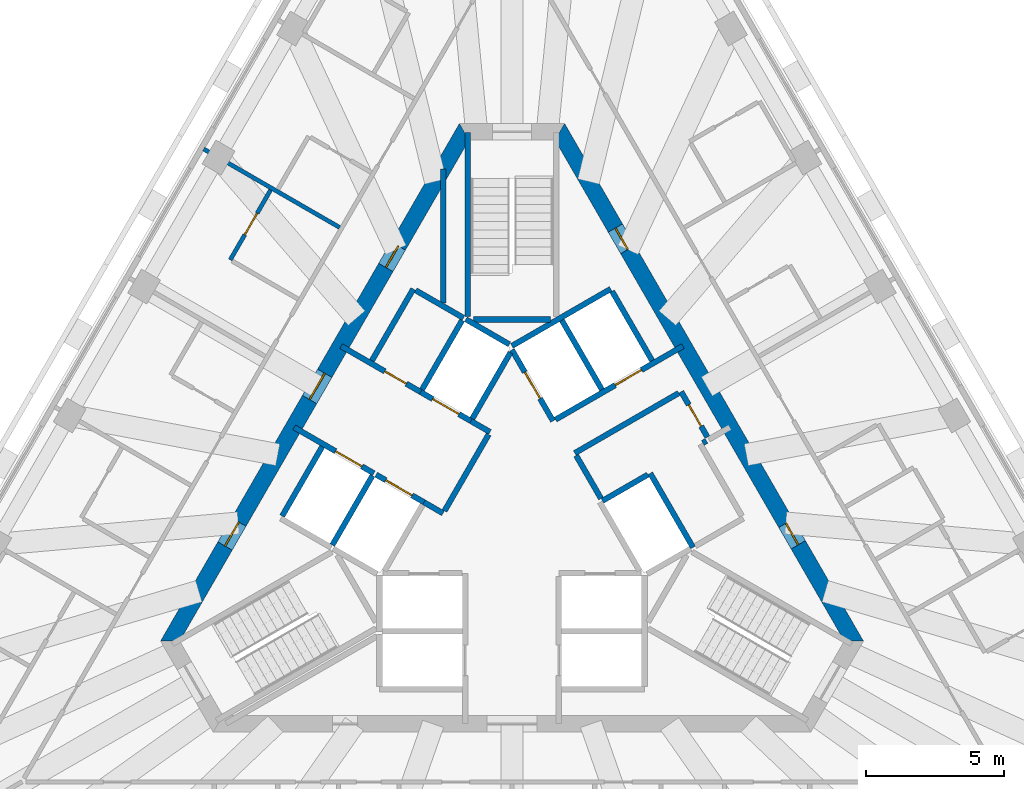
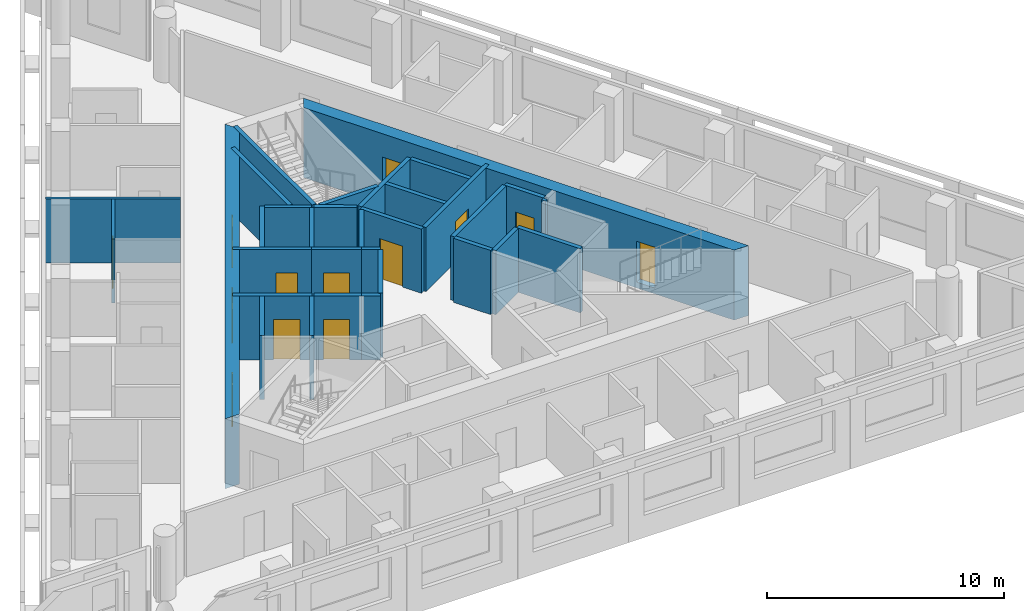
# One storey, part 5 of 10: 32 walls, 13 doors, 13 openings.
"""IFC4 building model written with IfcOpenShell, lengths in metres."""

from ifc_helpers import new_model, si_unit, direction, frame, frame_2d, origin, place, context, subcontext, project, spatial, polyline, rectangle, outline, extrude, material, layer, layer_set, type_object, element, fill, save


model = new_model("IFC4")

# Units and contexts
model_context = context("Model", 3, precision=1e-05, world=origin(), true_north=direction((0.0, 1.0)))
body_context = subcontext(model_context, "Body", "Model", "MODEL_VIEW")
ifc_project = project(units=[si_unit("LENGTHUNIT", "METRE"), si_unit("AREAUNIT", "SQUARE_METRE"), si_unit("VOLUMEUNIT", "CUBIC_METRE"), si_unit("PLANEANGLEUNIT", "RADIAN"), si_unit("MASSUNIT", "GRAM", prefix="KILO")], contexts=[model_context])

# Site, building, storey
site_placement = place(None, origin())
site = spatial("IfcSite", under=ifc_project, at=site_placement, CompositionType="ELEMENT")
building_placement = place(site_placement, origin())
building = spatial("IfcBuilding", under=site, at=building_placement, Name="Triada Interchange Tower", CompositionType="ELEMENT")
storey_placement = place(building_placement, frame((0.0, 0.0, 289.89990234375)))
storey = spatial("IfcBuildingStorey", under=building, at=storey_placement, Name="L68", CompositionType="ELEMENT", Elevation=289.89990234375)

# Walls
ifc_material_1 = material(Name="Concrete C30/37", Category="concrete")
ifc_layer_1 = layer(ifc_material_1, 0.199951171875)
ifc_layer_set_1 = layer_set([ifc_layer_1], Name="CORE WALL 200 EI 120")
wall_type_1 = type_object("IfcWallType", Name="CORE WALL 200 EI 120", PredefinedType="SOLIDWALL", material=ifc_layer_set_1)
wall_1_placement = place(storey_placement, frame((-8.325927734375, -0.6201171875, 0.0), z_axis=(0.0, 0.0, 1.0), x_axis=(0.500023687443, 0.866011727401, 0.0)))
element("IfcWall", 1, at=wall_1_placement, inside=storey, type_object=wall_type_1, Name="Wall L68 67", PredefinedType="SOLIDWALL", context=body_context, shape_type="SweptSolid", body=[
    extrude(rectangle(XDim=2.899658203125, YDim=0.199951171875, at=frame_2d((1.44970703125, 0.0))), origin(), (0.0, 0.0, 1.0), 3.300048828125),
])
wall_2_placement = place(storey_placement, frame((-0.001953125, 5.541015625, 0.0), z_axis=(0.0, 0.0, 1.0), x_axis=(0.86600155993, 0.500041296494, 0.0)))
element("IfcWall", 2, at=wall_2_placement, inside=storey, type_object=wall_type_1, Name="Wall L68 77", PredefinedType="SOLIDWALL", context=body_context, shape_type="SweptSolid", body=[
    extrude(rectangle(XDim=4.131591796875, YDim=0.199951171875, at=frame_2d((2.06591796875, 0.0))), origin(), (0.0, 0.0, 1.0), 3.300048828125),
])

# Wall, opening, door
wall_3_placement = place(storey_placement, frame((0.0, 5.39990234375, 0.0), z_axis=(0.0, 0.0, 1.0), x_axis=(0.500103862429, -0.865965430478, 0.0)))
wall_3 = element("IfcWall", 3, at=wall_3_placement, inside=storey, type_object=wall_type_1, Name="Wall L68 78", PredefinedType="SOLIDWALL", context=body_context, shape_type="SweptSolid", body=[
    extrude(rectangle(XDim=2.973388671875, YDim=0.199951171875, at=frame_2d((1.48681640625, 0.0))), origin(), (0.0, 0.0, 1.0), 3.300048828125),
])
opening_1_placement = place(wall_3_placement, frame((0.93701171875, 0.0, 0.0)))
opening_1 = element("IfcOpeningElement", 4, at=opening_1_placement, cuts=wall_3, Name="Opening LD-HR5", PredefinedType="OPENING", context=body_context, shape_type="SweptSolid", body=[
    extrude(rectangle(XDim=1.10009765625, YDim=2.10009765625, at=frame_2d((0.550048828125, 1.050048828125))), frame((0.0, 0.10986328125, 0.0), z_axis=(0.0, -1.0, 0.0), x_axis=(1.0, 0.0, 0.0)), (0.0, 0.0, 1.0), 0.219970703125),
])
ifc_material_2 = material(Name="Steel S235 door leaf", Category="steel")
door_type_1 = type_object("IfcDoorType", Name="LIFT LANDING DOOR 1100 EI 120", OperationType="SLIDING_TO_LEFT", PredefinedType="DOOR", material=ifc_material_2)
door_1_placement = place(opening_1_placement, origin())
door_1 = element("IfcDoor", 5, at=door_1_placement, inside=storey, type_object=door_type_1, Name="HR5 landing door L68", OperationType="SLIDING_TO_LEFT", OverallHeight=2.10009765625, OverallWidth=1.10009765625, PredefinedType="DOOR", context=body_context, shape_type="SweptSolid", body=[
    extrude(rectangle(XDim=1.10009765625, YDim=2.10009765625, at=frame_2d((0.550048828125, 1.050048828125))), frame((0.0, 0.02490234375, 0.0), z_axis=(0.0, -1.0, 0.0), x_axis=(1.0, 0.0, 0.0)), (0.0, 0.0, 1.0), 0.050048828125),
])
fill(opening_1, door_1)

wall_4_placement = place(storey_placement, frame((1.577880859375, 2.8740234375, 0.0), z_axis=(0.0, 0.0, 1.0), x_axis=(0.866045911672, 0.499964477614, 0.0)))
wall_4 = element("IfcWall", 6, at=wall_4_placement, inside=storey, type_object=wall_type_1, Name="Wall L68 80", PredefinedType="SOLIDWALL", context=body_context, shape_type="SweptSolid", body=[
    extrude(rectangle(XDim=5.32666015625, YDim=0.199951171875, at=frame_2d((2.663330078125, 0.0))), origin(), (0.0, 0.0, 1.0), 3.300048828125),
])
opening_2_placement = place(wall_4_placement, frame((2.49609375, 0.0, 0.0)))
opening_2 = element("IfcOpeningElement", 7, at=opening_2_placement, cuts=wall_4, Name="Opening LD-HR6", PredefinedType="OPENING", context=body_context, shape_type="SweptSolid", body=[
    extrude(rectangle(XDim=1.10009765625, YDim=2.10009765625, at=frame_2d((0.550048828125, 1.050048828125))), frame((0.0, 0.10986328125, 0.0), z_axis=(0.0, -1.0, 0.0), x_axis=(1.0, 0.0, 0.0)), (0.0, 0.0, 1.0), 0.219970703125),
])
door_2_placement = place(opening_2_placement, origin())
door_2 = element("IfcDoor", 8, at=door_2_placement, inside=storey, type_object=door_type_1, Name="HR6 landing door L68", OperationType="SLIDING_TO_LEFT", OverallHeight=2.10009765625, OverallWidth=1.10009765625, PredefinedType="DOOR", context=body_context, shape_type="SweptSolid", body=[
    extrude(rectangle(XDim=1.10009765625, YDim=2.10009765625, at=frame_2d((0.550048828125, 1.050048828125))), frame((0.0, 0.02490234375, 0.0), z_axis=(0.0, -1.0, 0.0), x_axis=(1.0, 0.0, 0.0)), (0.0, 0.0, 1.0), 0.050048828125),
])
fill(opening_2, door_2)

# Walls
for number, where, z_axis, x_axis, name in (
    (9, (3.6259765625, 7.52001953125, 0.0), (0.0, 0.0, 1.0), (0.500060147554, -0.865990674793, 0.0), "Wall L68 83"),
    (10, (1.806884765625, 6.469970703125, 0.0), (0.0, 0.0, 1.0), (0.50012328804, -0.865954211699, 0.0), "Wall L68 84"),
):
    element("IfcWall", number, at=place(storey_placement, frame(where, z_axis=z_axis, x_axis=x_axis)), inside=storey, type_object=wall_type_1, Name=name, PredefinedType="SOLIDWALL", context=body_context, shape_type="SweptSolid", body=[
        extrude(rectangle(XDim=2.899658203125, YDim=0.199951171875, at=frame_2d((1.44970703125, 0.0))), origin(), (0.0, 0.0, 1.0), 3.300048828125),
    ])
wall_5_placement = place(storey_placement, frame((5.007080078125, 0.927978515625, 0.0), z_axis=(0.0, 0.0, 1.0), x_axis=(0.499899694197, -0.866083307622, 0.0)))
element("IfcWall", 11, at=wall_5_placement, inside=storey, type_object=wall_type_1, Name="Wall L68 85", PredefinedType="SOLIDWALL", context=body_context, shape_type="SweptSolid", body=[
    extrude(rectangle(XDim=3.100341796875, YDim=0.199951171875, at=frame_2d((1.55029296875, 0.0))), origin(), (0.0, 0.0, 1.0), 3.300048828125),
])
wall_6_placement = place(storey_placement, frame((3.278076171875, -0.071044921875, 0.0), z_axis=(0.0, 0.0, 1.0), x_axis=(0.865784509405, 0.500417009377, 0.0)))
element("IfcWall", 12, at=wall_6_placement, inside=storey, type_object=wall_type_1, Name="Wall L68 86", PredefinedType="SOLIDWALL", context=body_context, shape_type="SweptSolid", body=[
    extrude(rectangle(XDim=1.896484375, YDim=0.199951171875, at=frame_2d((0.9482421875, 0.0))), origin(), (0.0, 0.0, 1.0), 3.300048828125),
])

# Wall, opening, door
wall_7_placement = place(storey_placement, frame((6.12890625, 3.885009765625, 0.0), z_axis=(0.0, 0.0, 1.0), x_axis=(0.499952260202, -0.866052964615, 0.0)))
wall_7 = element("IfcWall", 13, at=wall_7_placement, inside=storey, type_object=wall_type_1, Name="Wall L68 88", PredefinedType="SOLIDWALL", context=body_context, shape_type="SweptSolid", body=[
    extrude(rectangle(XDim=1.900634765625, YDim=0.199951171875, at=frame_2d((0.9501953125, 0.0))), origin(), (0.0, 0.0, 1.0), 3.300048828125),
])
opening_3_placement = place(wall_7_placement, frame((0.550048828125, 0.0, 0.0)))
opening_3 = element("IfcOpeningElement", 14, at=opening_3_placement, cuts=wall_7, Name="Opening D68-57", PredefinedType="OPENING", context=body_context, shape_type="SweptSolid", body=[
    extrude(rectangle(XDim=0.89990234375, YDim=2.10009765625, at=frame_2d((0.449951171875, 1.050048828125))), frame((0.0, 0.10986328125, 0.0), z_axis=(0.0, -1.0, 0.0), x_axis=(1.0, 0.0, 0.0)), (0.0, 0.0, 1.0), 0.219970703125),
])
door_type_2 = type_object("IfcDoorType", Name="SERVICE DOOR 900 EI2 45-C5S200", OperationType="NOTDEFINED", PredefinedType="DOOR", material=ifc_material_2)
door_3_placement = place(opening_3_placement, origin())
door_3 = element("IfcDoor", 15, at=door_3_placement, inside=storey, type_object=door_type_2, Name="Door D68-57 L68", OperationType="SINGLE_SWING_LEFT", OverallHeight=2.10009765625, OverallWidth=0.89990234375, PredefinedType="DOOR", context=body_context, shape_type="SweptSolid", body=[
    extrude(rectangle(XDim=0.89990234375, YDim=2.10009765625, at=frame_2d((0.449951171875, 1.050048828125))), frame((0.0, 0.02490234375, 0.0), z_axis=(0.0, -1.0, 0.0), x_axis=(1.0, 0.0, 0.0)), (0.0, 0.0, 1.0), 0.050048828125),
])
fill(opening_3, door_3)

# Walls
wall_8_placement = place(storey_placement, frame((2.27490234375, 1.659912109375, 0.0), z_axis=(0.0, 0.0, 1.0), x_axis=(0.866013608182, 0.500020430026, 0.0)))
element("IfcWall", 16, at=wall_8_placement, inside=storey, type_object=wall_type_1, Name="Wall L68 89", PredefinedType="SOLIDWALL", context=body_context, shape_type="SweptSolid", body=[
    extrude(rectangle(XDim=4.349853515625, YDim=0.199951171875, at=frame_2d((2.1748046875, 0.0))), origin(), (0.0, 0.0, 1.0), 3.300048828125),
])
wall_9_placement = place(storey_placement, frame((2.324951171875, 1.572998046875, 0.0), z_axis=(0.0, 0.0, 1.0), x_axis=(0.500004188491, -0.866022985545, 0.0)))
element("IfcWall", 17, at=wall_9_placement, inside=storey, type_object=wall_type_1, Name="Wall L68 90", PredefinedType="SOLIDWALL", context=body_context, shape_type="SweptSolid", body=[
    extrude(rectangle(XDim=1.80029296875, YDim=0.199951171875, at=frame_2d((0.900146484375, 0.0))), origin(), (0.0, 0.0, 1.0), 3.300048828125),
])

# Wall, opening, door
ifc_layer_2 = layer(ifc_material_1, 0.199951171875)
ifc_layer_set_2 = layer_set([ifc_layer_2], Name="CORE WALL 200 EI 180")
wall_type_2 = type_object("IfcWallType", Name="CORE WALL 200 EI 180", PredefinedType="SOLIDWALL", material=ifc_layer_set_2)
wall_10_placement = place(storey_placement, frame((-7.89111328125, 2.593017578125, 0.0), z_axis=(0.0, 0.0, 1.0), x_axis=(0.866070917804, -0.499921159118, 0.0)))
wall_10 = element("IfcWall", 18, at=wall_10_placement, inside=storey, type_object=wall_type_2, Name="Wall L68 92", PredefinedType="SOLIDWALL", context=body_context, shape_type="SweptSolid", body=[
    extrude(rectangle(XDim=3.33251953125, YDim=0.199951171875, at=frame_2d((1.666259765625, 0.0))), origin(), (0.0, 0.0, 1.0), 3.300048828125),
])
opening_4_placement = place(wall_10_placement, frame((1.72998046875, 0.0, 0.0)))
opening_4 = element("IfcOpeningElement", 19, at=opening_4_placement, cuts=wall_10, Name="Opening LD-SV1", PredefinedType="OPENING", context=body_context, shape_type="SweptSolid", body=[
    extrude(rectangle(XDim=1.10009765625, YDim=2.10009765625, at=frame_2d((0.550048828125, 1.050048828125))), frame((0.0, 0.10986328125, 0.0), z_axis=(0.0, -1.0, 0.0), x_axis=(1.0, 0.0, 0.0)), (0.0, 0.0, 1.0), 0.219970703125),
])
door_4_placement = place(opening_4_placement, origin())
door_4 = element("IfcDoor", 20, at=door_4_placement, inside=storey, type_object=door_type_1, Name="SV1 landing door L68", OperationType="SLIDING_TO_LEFT", OverallHeight=2.10009765625, OverallWidth=1.10009765625, PredefinedType="DOOR", context=body_context, shape_type="SweptSolid", body=[
    extrude(rectangle(XDim=1.10009765625, YDim=2.10009765625, at=frame_2d((0.550048828125, 1.050048828125))), frame((0.0, 0.02490234375, 0.0), z_axis=(0.0, -1.0, 0.0), x_axis=(1.0, 0.0, 0.0)), (0.0, 0.0, 1.0), 0.050048828125),
])
fill(opening_4, door_4)

# Wall
wall_11_placement = place(storey_placement, frame((-3.18798828125, -0.1220703125, 0.0), z_axis=(0.0, 0.0, 1.0), x_axis=(0.865705793592, -0.50055317294, 0.0)))
element("IfcWall", 21, at=wall_11_placement, inside=storey, type_object=wall_type_2, Name="Wall L68 93", PredefinedType="SOLIDWALL", context=body_context, shape_type="SweptSolid", body=[
    extrude(rectangle(XDim=0.796875, YDim=0.199951171875, at=frame_2d((0.3984375, 0.0))), origin(), (0.0, 0.0, 1.0), 3.300048828125),
])

# Wall, opening, door
wall_12_placement = place(storey_placement, frame((-6.19091796875, 5.537109375, 0.0), z_axis=(0.0, 0.0, 1.0), x_axis=(0.866052607023, -0.499952879648, 0.0)))
wall_12 = element("IfcWall", 22, at=wall_12_placement, inside=storey, type_object=wall_type_2, Name="Wall L68 94", PredefinedType="SOLIDWALL", context=body_context, shape_type="SweptSolid", body=[
    extrude(rectangle(XDim=3.332275390625, YDim=0.199951171875, at=frame_2d((1.666015625, 0.0))), origin(), (0.0, 0.0, 1.0), 3.300048828125),
])
opening_5_placement = place(wall_12_placement, frame((1.830078125, 0.0, 0.0)))
opening_5 = element("IfcOpeningElement", 23, at=opening_5_placement, cuts=wall_12, Name="Opening D68-10", PredefinedType="OPENING", context=body_context, shape_type="SweptSolid", body=[
    extrude(rectangle(XDim=0.89990234375, YDim=2.10009765625, at=frame_2d((0.449951171875, 1.050048828125))), frame((0.0, 0.10986328125, 0.0), z_axis=(0.0, -1.0, 0.0), x_axis=(1.0, 0.0, 0.0)), (0.0, 0.0, 1.0), 0.219970703125),
])
door_type_3 = type_object("IfcDoorType", Name="SERVICE DOOR 900 EI2 90-C5S200", OperationType="NOTDEFINED", PredefinedType="DOOR", material=ifc_material_2)
door_5_placement = place(opening_5_placement, origin())
door_5 = element("IfcDoor", 24, at=door_5_placement, inside=storey, type_object=door_type_3, Name="Door D68-10 L68", OperationType="SINGLE_SWING_LEFT", OverallHeight=2.10009765625, OverallWidth=0.89990234375, PredefinedType="DOOR", context=body_context, shape_type="SweptSolid", body=[
    extrude(rectangle(XDim=0.89990234375, YDim=2.10009765625, at=frame_2d((0.449951171875, 1.050048828125))), frame((0.0, 0.02490234375, 0.0), z_axis=(0.0, -1.0, 0.0), x_axis=(1.0, 0.0, 0.0)), (0.0, 0.0, 1.0), 0.050048828125),
])
fill(opening_5, door_5)

# Walls
wall_13_placement = place(storey_placement, frame((-1.488037109375, 2.822021484375, 0.0), z_axis=(0.0, 0.0, 1.0), x_axis=(0.866236612152, -0.499633997809, 0.0)))
element("IfcWall", 25, at=wall_13_placement, inside=storey, type_object=wall_type_2, Name="Wall L68 95", PredefinedType="SOLIDWALL", context=body_context, shape_type="SweptSolid", body=[
    extrude(rectangle(XDim=0.79638671875, YDim=0.199951171875, at=frame_2d((0.398193359375, 0.0))), origin(), (0.0, 0.0, 1.0), 3.300048828125),
])
wall_14_placement = place(storey_placement, frame((-5.075927734375, 5.009033203125, 0.0), z_axis=(0.0, 0.0, 1.0), x_axis=(0.50002537861, 0.866010750942, 0.0)))
element("IfcWall", 26, at=wall_14_placement, inside=storey, type_object=wall_type_2, Name="Wall L68 96", PredefinedType="SOLIDWALL", context=body_context, shape_type="SweptSolid", body=[
    extrude(rectangle(XDim=2.999755859375, YDim=0.199951171875, at=frame_2d((1.5, 0.0))), origin(), (0.0, 0.0, 1.0), 3.300048828125),
])
wall_15_placement = place(storey_placement, frame((-3.489013671875, 7.556884765625, 0.0), z_axis=(0.0, 0.0, 1.0), x_axis=(0.866010750942, -0.50002537861, 0.0)))
element("IfcWall", 27, at=wall_15_placement, inside=storey, type_object=wall_type_2, Name="Wall L68 97", PredefinedType="SOLIDWALL", context=body_context, shape_type="SweptSolid", body=[
    extrude(rectangle(XDim=2.0, YDim=0.199951171875, at=frame_2d((1.0, 0.0))), origin(), (0.0, 0.0, 1.0), 3.300048828125),
])
wall_16_placement = place(storey_placement, frame((-2.444091796875, -0.43310546875, 0.0), z_axis=(0.0, 0.0, 1.0), x_axis=(0.500035624827, 0.866004834804, 0.0)))
element("IfcWall", 28, at=wall_16_placement, inside=storey, type_object=wall_type_2, Name="Wall L68 98", PredefinedType="SOLIDWALL", context=body_context, shape_type="SweptSolid", body=[
    extrude(rectangle(XDim=3.194091796875, YDim=0.199951171875, at=frame_2d((1.59716796875, 0.0))), origin(), (0.0, 0.0, 1.0), 3.300048828125),
])
wall_17_placement = place(storey_placement, frame((-6.507080078125, -1.669921875, 0.0), z_axis=(0.0, 0.0, 1.0), x_axis=(0.50012328804, 0.865954211699, 0.0)))
element("IfcWall", 29, at=wall_17_placement, inside=storey, type_object=wall_type_2, Name="Shaft wall FF1 L68 99", PredefinedType="SOLIDWALL", context=body_context, shape_type="SweptSolid", body=[
    extrude(rectangle(XDim=2.899658203125, YDim=0.199951171875, at=frame_2d((1.44970703125, 0.0))), origin(), (0.0, 0.0, 1.0), 3.300048828125),
])

# Wall, opening, door
wall_18_placement = place(storey_placement, frame((-4.922119140625, 0.87890625, 0.0), z_axis=(0.0, 0.0, 1.0), x_axis=(0.866073918653, -0.499915960366, 0.0)))
wall_18 = element("IfcWall", 30, at=wall_18_placement, inside=storey, type_object=wall_type_2, Name="Shaft wall FF1 L68 101", PredefinedType="SOLIDWALL", context=body_context, shape_type="SweptSolid", body=[
    extrude(rectangle(XDim=2.002197265625, YDim=0.199951171875, at=frame_2d((1.0009765625, 0.0))), origin(), (0.0, 0.0, 1.0), 3.300048828125),
])
opening_6_placement = place(wall_18_placement, frame((0.402099609375, 0.0, 0.0)))
opening_6 = element("IfcOpeningElement", 31, at=opening_6_placement, cuts=wall_18, Name="Opening LD-FF1", PredefinedType="OPENING", context=body_context, shape_type="SweptSolid", body=[
    extrude(rectangle(XDim=1.10009765625, YDim=2.10009765625, at=frame_2d((0.550048828125, 1.050048828125))), frame((0.0, 0.10986328125, 0.0), z_axis=(0.0, -1.0, 0.0), x_axis=(1.0, 0.0, 0.0)), (0.0, 0.0, 1.0), 0.219970703125),
])
door_6_placement = place(opening_6_placement, origin())
door_6 = element("IfcDoor", 32, at=door_6_placement, inside=storey, type_object=door_type_1, Name="FF1 landing door L68", OperationType="SLIDING_TO_LEFT", OverallHeight=2.10009765625, OverallWidth=1.10009765625, PredefinedType="DOOR", context=body_context, shape_type="SweptSolid", body=[
    extrude(rectangle(XDim=1.10009765625, YDim=2.10009765625, at=frame_2d((0.550048828125, 1.050048828125))), frame((0.0, 0.02490234375, 0.0), z_axis=(0.0, -1.0, 0.0), x_axis=(1.0, 0.0, 0.0)), (0.0, 0.0, 1.0), 0.050048828125),
])
fill(opening_6, door_6)

wall_19_placement = place(storey_placement, frame((-3.30908203125, 3.873046875, 0.0), z_axis=(0.0, 0.0, 1.0), x_axis=(0.866098583652, -0.499873227325, 0.0)))
wall_19 = element("IfcWall", 33, at=wall_19_placement, inside=storey, type_object=wall_type_2, Name="Shaft wall FF2 L68 103", PredefinedType="SOLIDWALL", context=body_context, shape_type="SweptSolid", body=[
    extrude(rectangle(XDim=2.1025390625, YDim=0.199951171875, at=frame_2d((1.05126953125, 0.0))), origin(), (0.0, 0.0, 1.0), 3.300048828125),
])
opening_7_placement = place(wall_19_placement, frame((0.501953125, 0.0, 0.0)))
opening_7 = element("IfcOpeningElement", 34, at=opening_7_placement, cuts=wall_19, Name="Opening LD-FF2", PredefinedType="OPENING", context=body_context, shape_type="SweptSolid", body=[
    extrude(rectangle(XDim=1.10009765625, YDim=2.10009765625, at=frame_2d((0.550048828125, 1.050048828125))), frame((0.0, 0.10986328125, 0.0), z_axis=(0.0, -1.0, 0.0), x_axis=(1.0, 0.0, 0.0)), (0.0, 0.0, 1.0), 0.219970703125),
])
door_7_placement = place(opening_7_placement, origin())
door_7 = element("IfcDoor", 35, at=door_7_placement, inside=storey, type_object=door_type_1, Name="FF2 landing door L68", OperationType="SLIDING_TO_LEFT", OverallHeight=2.10009765625, OverallWidth=1.10009765625, PredefinedType="DOOR", context=body_context, shape_type="SweptSolid", body=[
    extrude(rectangle(XDim=1.10009765625, YDim=2.10009765625, at=frame_2d((0.550048828125, 1.050048828125))), frame((0.0, 0.02490234375, 0.0), z_axis=(0.0, -1.0, 0.0), x_axis=(1.0, 0.0, 0.0)), (0.0, 0.0, 1.0), 0.050048828125),
])
fill(opening_7, door_7)

# Walls
wall_20_placement = place(storey_placement, frame((-3.257080078125, 3.958984375, 0.0), z_axis=(0.0, 0.0, 1.0), x_axis=(0.50012328804, 0.865954211699, 0.0)))
element("IfcWall", 36, at=wall_20_placement, inside=storey, type_object=wall_type_2, Name="Shaft wall FF2 L68 104", PredefinedType="SOLIDWALL", context=body_context, shape_type="SweptSolid", body=[
    extrude(rectangle(XDim=2.899658203125, YDim=0.199951171875, at=frame_2d((1.44970703125, 0.0))), origin(), (0.0, 0.0, 1.0), 3.300048828125),
])
wall_21_placement = place(storey_placement, frame((-1.669921875, 6.507080078125, 0.0), z_axis=(0.0, 0.0, 1.0), x_axis=(0.865941441609, -0.500145398563, 0.0)))
element("IfcWall", 37, at=wall_21_placement, inside=storey, type_object=wall_type_2, Name="Shaft wall FF2 L68 105", PredefinedType="SOLIDWALL", context=body_context, shape_type="SweptSolid", body=[
    extrude(rectangle(XDim=1.8154296875, YDim=0.199951171875, at=frame_2d((0.90771484375, 0.0))), origin(), (0.0, 0.0, 1.0), 3.300048828125),
])
wall_22_placement = place(storey_placement, frame((-1.43798828125, 2.908935546875, 0.0), z_axis=(0.0, 0.0, 1.0), x_axis=(0.499829630636, 0.866123744241, 0.0)))
element("IfcWall", 38, at=wall_22_placement, inside=storey, type_object=wall_type_2, Name="Shaft wall FF2 L68 106", PredefinedType="SOLIDWALL", context=body_context, shape_type="SweptSolid", body=[
    extrude(rectangle(XDim=2.7607421875, YDim=0.199951171875, at=frame_2d((1.38037109375, 0.0))), origin(), (0.0, 0.0, 1.0), 3.300048828125),
])
ifc_layer_3 = layer(ifc_material_1, 0.199951171875)
ifc_layer_set_3 = layer_set([ifc_layer_3], Name="CORE WALL 200 EI 90")
wall_type_3 = type_object("IfcWallType", Name="CORE WALL 200 EI 90", PredefinedType="SOLIDWALL", material=ifc_layer_set_3)
wall_23_placement = place(storey_placement, frame((-2.48291015625, 7.092041015625, 0.0), z_axis=(0.0, 0.0, 1.0), x_axis=(0.0, 1.0, 0.0)))
element("IfcWall", 39, at=wall_23_placement, inside=storey, type_object=wall_type_3, Name="Wall L68 108", PredefinedType="SOLIDWALL", context=body_context, shape_type="SweptSolid", body=[
    extrude(rectangle(XDim=4.866943359375, YDim=0.199951171875, at=frame_2d((2.43359375, 0.0))), origin(), (0.0, 0.0, 1.0), 3.300048828125),
])
wall_24_placement = place(storey_placement, frame((6.912109375, 2.028076171875, 0.0), z_axis=(0.0, 0.0, 1.0), x_axis=(0.866559367082, 0.499074005857, 0.0)))
element("IfcWall", 40, at=wall_24_placement, inside=storey, type_object=wall_type_3, Name="Wall L68 111", PredefinedType="SOLIDWALL", context=body_context, shape_type="SweptSolid", body=[
    extrude(rectangle(XDim=0.152099609375, YDim=0.199951171875, at=frame_2d((0.076171875, 0.0))), origin(), (0.0, 0.0, 1.0), 3.300048828125),
])
ifc_layer_4 = layer(ifc_material_1, 0.199951171875)
ifc_layer_set_4 = layer_set([ifc_layer_4], Name="CORE WALL 200 REI 240")
wall_type_4 = type_object("IfcWallType", Name="CORE WALL 200 REI 240", PredefinedType="SOLIDWALL", material=ifc_layer_set_4)
wall_25_placement = place(storey_placement, frame((-1.39990234375, 6.5, 0.0), z_axis=(0.0, 0.0, 1.0), x_axis=(1.0, 0.0, 0.0)))
element("IfcWall", 41, at=wall_25_placement, inside=storey, type_object=wall_type_4, Name="Wall L68 116", PredefinedType="SOLIDWALL", context=body_context, shape_type="SweptSolid", body=[
    extrude(rectangle(XDim=2.7998046875, YDim=0.199951171875, at=frame_2d((1.39990234375, 0.0))), origin(), (0.0, 0.0, 1.0), 3.300048828125),
])
wall_26_placement = place(storey_placement, frame((-1.60009765625, 6.614990234375, 0.0), z_axis=(0.0, 0.0, 1.0), x_axis=(0.0, 1.0, 0.0)))
element("IfcWall", 42, at=wall_26_placement, inside=storey, type_object=wall_type_4, Name="Wall L68 117", PredefinedType="SOLIDWALL", context=body_context, shape_type="SweptSolid", body=[
    extrude(rectangle(XDim=6.6650390625, YDim=0.199951171875, at=frame_2d((3.33251953125, 0.0))), origin(), (0.0, 0.0, 1.0), 3.300048828125),
])

# Wall, openings, doors
ifc_material_3 = material(Name="Concrete C40/50", Category="concrete")
ifc_layer_5 = layer(ifc_material_3, 0.60009765625)
ifc_layer_set_5 = layer_set([ifc_layer_5], Name="Core wall D 600")
wall_type_5 = type_object("IfcWallType", Name="Core wall D 600", PredefinedType="SHEAR", material=ifc_layer_set_5)
wall_27_placement = place(storey_placement, frame((-1.73193359375, 13.300048828125, -0.2998046875), z_axis=(0.0, 0.0, 1.0), x_axis=(-0.500000539815, -0.866025092122, 0.0)))
wall_27 = element("IfcWall", 43, at=wall_27_placement, inside=storey, type_object=wall_type_5, Name="Core wall WD02 L68", PredefinedType="SHEAR", context=body_context, shape_type="SweptSolid", body=[
    extrude(outline(polyline([(-0.173095703125, -0.300048828125), (1.795166015625, -0.300048828125), (3.763427734375, -0.30029296875), (5.731689453125, -0.30029296875), (7.699951171875, -0.30029296875), (9.668212890625, -0.300537109375), (11.63671875, -0.300537109375), (13.60498046875, -0.30078125), (15.5732421875, -0.30078125), (17.54150390625, -0.30078125), (19.509765625, -0.301025390625), (21.47802734375, -0.301025390625), (21.131103515625, 0.300048828125), (19.225830078125, 0.300048828125), (17.320556640625, 0.300048828125), (15.415283203125, 0.300048828125), (13.510009765625, 0.300048828125), (11.604736328125, 0.300048828125), (9.699462890625, 0.300048828125), (7.794189453125, 0.300048828125), (5.888916015625, 0.300048828125), (3.983642578125, 0.300048828125), (2.078369140625, 0.300048828125), (0.173095703125, 0.300048828125), (-0.173095703125, -0.300048828125)])), origin(), (0.0, 0.0, 1.0), 3.599853515625),
])
opening_8_placement = place(wall_27_placement, frame((10.10205078125, 0.0, 0.300048828125)))
opening_8 = element("IfcOpeningElement", 44, at=opening_8_placement, cuts=wall_27, Name="Opening D68-51", PredefinedType="OPENING", context=body_context, shape_type="SweptSolid", body=[
    extrude(rectangle(XDim=1.10009765625, YDim=2.10009765625, at=frame_2d((0.550048828125, 1.050048828125))), frame((0.0, 0.31005859375, 0.0), z_axis=(0.0, -1.0, 0.0), x_axis=(1.0, 0.0, 0.0)), (0.0, 0.0, 1.0), 0.62109375),
])
opening_9_placement = place(wall_27_placement, frame((16.327880859375, 0.0, 0.300048828125)))
opening_9 = element("IfcOpeningElement", 45, at=opening_9_placement, cuts=wall_27, Name="Opening D68-52", PredefinedType="OPENING", context=body_context, shape_type="SweptSolid", body=[
    extrude(rectangle(XDim=1.0, YDim=2.10009765625, at=frame_2d((0.5, 1.050048828125))), frame((0.0, 0.31005859375, 0.0), z_axis=(0.0, -1.0, 0.0), x_axis=(1.0, 0.0, 0.0)), (0.0, 0.0, 1.0), 0.62109375),
])
opening_10_placement = place(wall_27_placement, frame((4.777099609375, 0.0, 0.300048828125)))
opening_10 = element("IfcOpeningElement", 46, at=opening_10_placement, cuts=wall_27, Name="Opening D68-54", PredefinedType="OPENING", context=body_context, shape_type="SweptSolid", body=[
    extrude(rectangle(XDim=0.89990234375, YDim=2.10009765625, at=frame_2d((0.449951171875, 1.050048828125))), frame((0.0, 0.31005859375, 0.0), z_axis=(0.0, -1.0, 0.0), x_axis=(1.0, 0.0, 0.0)), (0.0, 0.0, 1.0), 0.62109375),
])
door_type_4 = type_object("IfcDoorType", Name="FIRE LOBBY DOOR 1100 EI2 90-C5S200", OperationType="NOTDEFINED", PredefinedType="DOOR", material=ifc_material_2)
door_8_placement = place(opening_8_placement, origin())
door_8 = element("IfcDoor", 47, at=door_8_placement, inside=storey, type_object=door_type_4, Name="Door D68-51 L68", OperationType="SINGLE_SWING_RIGHT", OverallHeight=2.10009765625, OverallWidth=1.10009765625, PredefinedType="DOOR", context=body_context, shape_type="SweptSolid", body=[
    extrude(rectangle(XDim=1.10009765625, YDim=2.10009765625, at=frame_2d((0.550048828125, 1.050048828125))), frame((0.0, 0.02490234375, 0.0), z_axis=(0.0, -1.0, 0.0), x_axis=(1.0, 0.0, 0.0)), (0.0, 0.0, 1.0), 0.050048828125),
])
fill(opening_8, door_8)
door_type_5 = type_object("IfcDoorType", Name="SERVICE DOOR 1000 EI2 45-C5S200", OperationType="NOTDEFINED", PredefinedType="DOOR", material=ifc_material_2)
door_9_placement = place(opening_9_placement, origin())
door_9 = element("IfcDoor", 48, at=door_9_placement, inside=storey, type_object=door_type_5, Name="Door D68-52 L68", OperationType="SINGLE_SWING_RIGHT", OverallHeight=2.10009765625, OverallWidth=1.0, PredefinedType="DOOR", context=body_context, shape_type="SweptSolid", body=[
    extrude(rectangle(XDim=1.0, YDim=2.10009765625, at=frame_2d((0.5, 1.050048828125))), frame((0.0, 0.02490234375, 0.0), z_axis=(0.0, -1.0, 0.0), x_axis=(1.0, 0.0, 0.0)), (0.0, 0.0, 1.0), 0.050048828125),
])
fill(opening_9, door_9)
door_10_placement = place(opening_10_placement, origin())
door_10 = element("IfcDoor", 49, at=door_10_placement, inside=storey, type_object=door_type_2, Name="Door D68-54 L68", OperationType="SINGLE_SWING_RIGHT", OverallHeight=2.10009765625, OverallWidth=0.89990234375, PredefinedType="DOOR", context=body_context, shape_type="SweptSolid", body=[
    extrude(rectangle(XDim=0.89990234375, YDim=2.10009765625, at=frame_2d((0.449951171875, 1.050048828125))), frame((0.0, 0.02490234375, 0.0), z_axis=(0.0, -1.0, 0.0), x_axis=(1.0, 0.0, 0.0)), (0.0, 0.0, 1.0), 0.050048828125),
])
fill(opening_10, door_10)

wall_28_placement = place(storey_placement, frame((12.384033203125, -5.14990234375, -0.2998046875), z_axis=(0.0, 0.0, 1.0), x_axis=(-0.500000539815, 0.866025092122, 0.0)))
wall_28 = element("IfcWall", 50, at=wall_28_placement, inside=storey, type_object=wall_type_5, Name="Core wall WD06 L68", PredefinedType="SHEAR", context=body_context, shape_type="SweptSolid", body=[
    extrude(outline(polyline([(-0.173095703125, -0.301025390625), (1.795166015625, -0.301025390625), (3.76318359375, -0.30078125), (5.7314453125, -0.30078125), (7.69970703125, -0.30078125), (9.66796875, -0.300537109375), (11.635986328125, -0.300537109375), (13.604248046875, -0.30029296875), (15.572509765625, -0.30029296875), (17.540771484375, -0.30029296875), (19.5087890625, -0.300048828125), (21.47705078125, -0.300048828125), (21.131103515625, 0.300048828125), (19.225830078125, 0.300048828125), (17.320556640625, 0.300048828125), (15.415283203125, 0.300048828125), (13.510009765625, 0.300048828125), (11.604736328125, 0.300048828125), (9.699462890625, 0.300048828125), (7.794189453125, 0.300048828125), (5.888916015625, 0.300048828125), (3.983642578125, 0.300048828125), (2.078369140625, 0.300048828125), (0.173095703125, 0.300048828125), (-0.173095703125, -0.301025390625)])), origin(), (0.0, 0.0, 1.0), 3.599853515625),
])
opening_11_placement = place(wall_28_placement, frame((16.3779296875, 0.0, 0.300048828125)))
opening_11 = element("IfcOpeningElement", 51, at=opening_11_placement, cuts=wall_28, Name="Opening D68-55", PredefinedType="OPENING", context=body_context, shape_type="SweptSolid", body=[
    extrude(rectangle(XDim=0.89990234375, YDim=2.10009765625, at=frame_2d((0.449951171875, 1.050048828125))), frame((0.0, 0.31005859375, 0.0), z_axis=(0.0, -1.0, 0.0), x_axis=(1.0, 0.0, 0.0)), (0.0, 0.0, 1.0), 0.62109375),
])
opening_12_placement = place(wall_28_placement, frame((4.02587890625, 0.0, 0.300048828125)))
opening_12 = element("IfcOpeningElement", 52, at=opening_12_placement, cuts=wall_28, Name="Opening D68-56", PredefinedType="OPENING", context=body_context, shape_type="SweptSolid", body=[
    extrude(rectangle(XDim=0.89990234375, YDim=2.10009765625, at=frame_2d((0.449951171875, 1.050048828125))), frame((0.0, 0.31005859375, 0.0), z_axis=(0.0, -1.0, 0.0), x_axis=(1.0, 0.0, 0.0)), (0.0, 0.0, 1.0), 0.62109375),
])
door_type_6 = type_object("IfcDoorType", Name="RISER ACCESS DOOR 900 EI2 45-C5S200", OperationType="NOTDEFINED", PredefinedType="DOOR", material=ifc_material_2)
door_11_placement = place(opening_11_placement, origin())
door_11 = element("IfcDoor", 53, at=door_11_placement, inside=storey, type_object=door_type_6, Name="Door D68-55 L68", OperationType="SINGLE_SWING_RIGHT", OverallHeight=2.10009765625, OverallWidth=0.89990234375, PredefinedType="DOOR", context=body_context, shape_type="SweptSolid", body=[
    extrude(rectangle(XDim=0.89990234375, YDim=2.10009765625, at=frame_2d((0.449951171875, 1.050048828125))), frame((0.0, 0.02490234375, 0.0), z_axis=(0.0, -1.0, 0.0), x_axis=(1.0, 0.0, 0.0)), (0.0, 0.0, 1.0), 0.050048828125),
])
fill(opening_11, door_11)
door_12_placement = place(opening_12_placement, origin())
door_12 = element("IfcDoor", 54, at=door_12_placement, inside=storey, type_object=door_type_2, Name="Door D68-56 L68", OperationType="SINGLE_SWING_RIGHT", OverallHeight=2.10009765625, OverallWidth=0.89990234375, PredefinedType="DOOR", context=body_context, shape_type="SweptSolid", body=[
    extrude(rectangle(XDim=0.89990234375, YDim=2.10009765625, at=frame_2d((0.449951171875, 1.050048828125))), frame((0.0, 0.02490234375, 0.0), z_axis=(0.0, -1.0, 0.0), x_axis=(1.0, 0.0, 0.0)), (0.0, 0.0, 1.0), 0.050048828125),
])
fill(opening_12, door_12)

# Wall
ifc_material_4 = material(Name="Gypsum board partition")
ifc_layer_6 = layer(ifc_material_4, 0.14990234375)
ifc_layer_set_6 = layer_set([ifc_layer_6], Name="PARTITION 150 EI 180")
wall_type_6 = type_object("IfcWallType", Name="PARTITION 150 EI 180", PredefinedType="PARTITIONING", material=ifc_layer_set_6)
wall_29_placement = place(storey_placement, frame((-11.16796875, 12.677001953125, 0.0), z_axis=(0.0, 0.0, 1.0), x_axis=(0.866017549727, -0.50001360338, 0.0)))
element("IfcWall", 55, at=wall_29_placement, inside=storey, type_object=wall_type_6, Name="Wall L68 9", PredefinedType="PARTITIONING", context=body_context, shape_type="SweptSolid", body=[
    extrude(rectangle(XDim=5.685791015625, YDim=0.14990234375, at=frame_2d((2.8427734375, 0.0))), origin(), (0.0, 0.0, 1.0), 3.300048828125),
])

# Wall, opening, door
ifc_layer_7 = layer(ifc_material_4, 0.14990234375)
ifc_layer_set_7 = layer_set([ifc_layer_7], Name="PARTITION 150 EI 90")
wall_type_7 = type_object("IfcWallType", Name="PARTITION 150 EI 90", PredefinedType="PARTITIONING", material=ifc_layer_set_7)
wall_30_placement = place(storey_placement, frame((-10.2080078125, 8.658935546875, 0.0), z_axis=(0.0, 0.0, 1.0), x_axis=(0.499874209568, 0.866098016745, 0.0)))
wall_30 = element("IfcWall", 56, at=wall_30_placement, inside=storey, type_object=wall_type_7, Name="Wall L68 36", PredefinedType="PARTITIONING", context=body_context, shape_type="SweptSolid", body=[
    extrude(rectangle(XDim=2.924560546875, YDim=0.14990234375, at=frame_2d((1.46240234375, 0.0))), origin(), (0.0, 0.0, 1.0), 3.300048828125),
])
opening_13_placement = place(wall_30_placement, frame((1.050048828125, 0.0, 0.0)))
opening_13 = element("IfcOpeningElement", 57, at=opening_13_placement, cuts=wall_30, Name="Opening D68-39", PredefinedType="OPENING", context=body_context, shape_type="SweptSolid", body=[
    extrude(rectangle(XDim=0.89990234375, YDim=2.10009765625, at=frame_2d((0.449951171875, 1.050048828125))), frame((0.0, 0.0849609375, 0.0), z_axis=(0.0, -1.0, 0.0), x_axis=(1.0, 0.0, 0.0)), (0.0, 0.0, 1.0), 0.169921875),
])
door_type_7 = type_object("IfcDoorType", Name="ROOM DOOR 900 EI2 45-C5S200", OperationType="NOTDEFINED", PredefinedType="DOOR", material=ifc_material_2)
door_13_placement = place(opening_13_placement, origin())
door_13 = element("IfcDoor", 58, at=door_13_placement, inside=storey, type_object=door_type_7, Name="Door D68-39 L68", OperationType="SINGLE_SWING_LEFT", OverallHeight=2.10009765625, OverallWidth=0.89990234375, PredefinedType="DOOR", context=body_context, shape_type="SweptSolid", body=[
    extrude(rectangle(XDim=0.89990234375, YDim=2.10009765625, at=frame_2d((0.449951171875, 1.050048828125))), frame((0.0, 0.02490234375, 0.0), z_axis=(0.0, -1.0, 0.0), x_axis=(1.0, 0.0, 0.0)), (0.0, 0.0, 1.0), 0.050048828125),
])
fill(opening_13, door_13)

save(model, "model.ifc")
